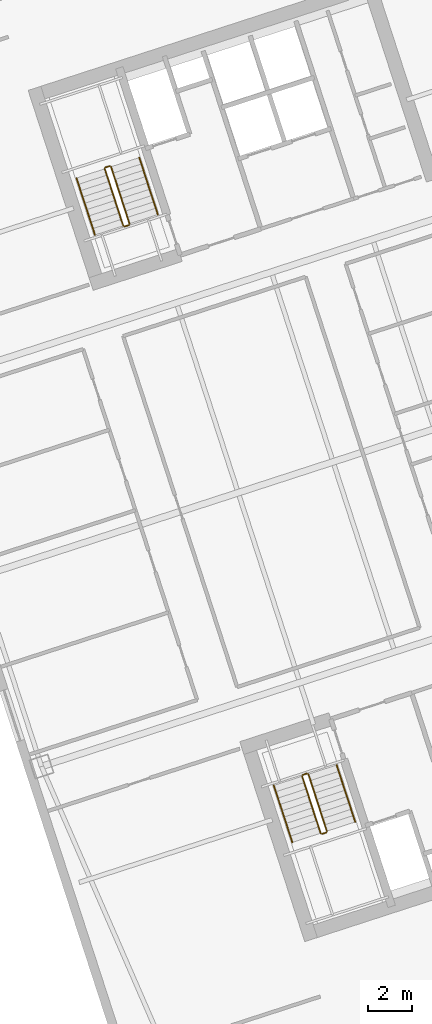
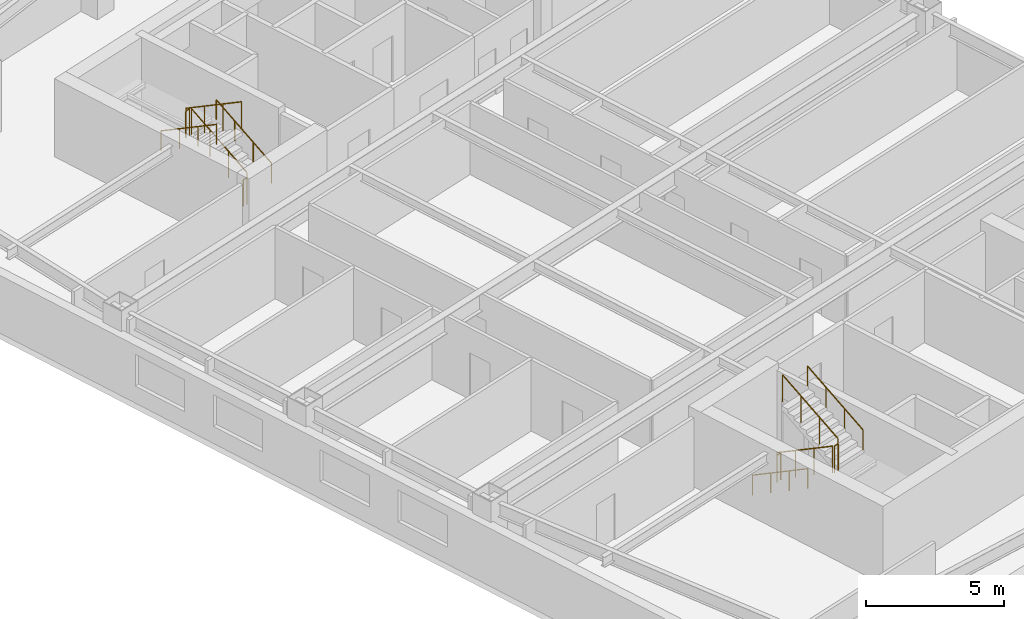
# One storey, part 11 of 11: 12 railings.
"""IFC4 building model written with IfcOpenShell, lengths in metres."""

from ifc_helpers import new_model, si_unit, direction, frame, origin, origin_2d, place, context, subcontext, project, spatial, circle, extrude, material, type_object, element, save


model = new_model("IFC4")

# Units and contexts
model_context = context("Model", 3, precision=1e-05, world=origin(), true_north=direction((0.0, 1.0)))
body_context = subcontext(model_context, "Body", "Model", "MODEL_VIEW")
ifc_project = project(units=[si_unit("LENGTHUNIT", "METRE"), si_unit("AREAUNIT", "SQUARE_METRE"), si_unit("VOLUMEUNIT", "CUBIC_METRE"), si_unit("PLANEANGLEUNIT", "RADIAN"), si_unit("MASSUNIT", "GRAM", prefix="KILO")], contexts=[model_context])

# Site, building, storey
site_placement = place(None, origin())
site = spatial("IfcSite", under=ifc_project, at=site_placement, CompositionType="ELEMENT")
building_placement = place(site_placement, origin())
building = spatial("IfcBuilding", under=site, at=building_placement, Name="Qiaolan Cultural Towers", CompositionType="ELEMENT")
storey_placement = place(building_placement, frame((0.0, 0.0, 96.60009765625)))
storey = spatial("IfcBuildingStorey", under=building, at=storey_placement, Name="L24", CompositionType="ELEMENT", Elevation=96.60009765625)

# Railings
ifc_material_1 = material(Name="Galvanized Painted Steel Stair Guardrail", Category="steel")
railing_type_1 = type_object("IfcRailingType", Name="RL-STAIR-GRD", PredefinedType="GUARDRAIL", material=ifc_material_1)
railing_1_placement = place(storey_placement, frame((88.60205078125, 19.82421875, 0.17236328125)))
element("IfcRailing", 1, at=railing_1_placement, inside=storey, type_object=railing_type_1, Name="L24 ST-E1 stair guard 1", PredefinedType="GUARDRAIL", context=body_context, shape_type="SweptSolid", body=[
    extrude(circle(Radius=0.02392578125, at=origin_2d()), frame((0.0, 0.0, 1.17578125), z_axis=(0.267925668498, -0.824471088726, 0.498460891159), x_axis=(0.951043371037, 0.309057448393, 0.0)), (0.0, 0.0, 1.0), 3.114501953125),
    extrude(circle(Radius=0.02099609375, at=origin_2d()), origin(), (0.0, 0.0, 1.0), 1.15185546875),
    extrude(circle(Radius=0.02099609375, at=origin_2d()), frame((0.278076171875, -0.85595703125, 0.517578125)), (0.0, 0.0, 1.0), 1.15185546875),
    extrude(circle(Radius=0.02099609375, at=origin_2d()), frame((0.556396484375, -1.7119140625, 1.034912109375)), (0.0, 0.0, 1.0), 1.15185546875),
    extrude(circle(Radius=0.02099609375, at=origin_2d()), frame((0.83447265625, -2.56787109375, 1.552490234375)), (0.0, 0.0, 1.0), 1.15185546875),
])
railing_2_placement = place(storey_placement, frame((89.49951171875, 17.224365234375, 1.724853515625)))
element("IfcRailing", 2, at=railing_2_placement, inside=storey, type_object=railing_type_1, Name="L24 ST-E1 stair guard 2", PredefinedType="GUARDRAIL", context=body_context, shape_type="SweptSolid", body=[
    extrude(circle(Radius=0.02392578125, at=origin_2d()), frame((0.0, 0.0, 1.17578125), z_axis=(0.951096855055, 0.308892816854, 0.0), x_axis=(-0.308892816854, 0.951096855055, 0.0)), (0.0, 0.0, 1.0), 0.199951171875),
    extrude(circle(Radius=0.02099609375, at=origin_2d()), origin(), (0.0, 0.0, 1.0), 1.15185546875),
    extrude(circle(Radius=0.02099609375, at=origin_2d()), frame((0.190185546875, 0.061767578125, 0.0)), (0.0, 0.0, 1.0), 1.15185546875),
])
railing_3_placement = place(storey_placement, frame((89.721923828125, 17.34912109375, 1.8974609375)))
element("IfcRailing", 3, at=railing_3_placement, inside=storey, type_object=railing_type_1, Name="L24 ST-E1 stair guard 3", PredefinedType="GUARDRAIL", context=body_context, shape_type="SweptSolid", body=[
    extrude(circle(Radius=0.02392578125, at=origin_2d()), frame((0.0, 0.0, 1.17578125), z_axis=(-0.267925668498, 0.824471088726, 0.498460891159), x_axis=(-0.951043371037, -0.309057448393, 0.0)), (0.0, 0.0, 1.0), 3.114501953125),
    extrude(circle(Radius=0.02099609375, at=origin_2d()), origin(), (0.0, 0.0, 1.0), 1.15185546875),
    extrude(circle(Radius=0.02099609375, at=origin_2d()), frame((-0.278076171875, 0.85595703125, 0.517578125)), (0.0, 0.0, 1.0), 1.15185546875),
    extrude(circle(Radius=0.02099609375, at=origin_2d()), frame((-0.556396484375, 1.7119140625, 1.034912109375)), (0.0, 0.0, 1.0), 1.15185546875),
    extrude(circle(Radius=0.02099609375, at=origin_2d()), frame((-0.83447265625, 2.56787109375, 1.552490234375)), (0.0, 0.0, 1.0), 1.15185546875),
])
railing_4_placement = place(storey_placement, frame((88.63427734375, 19.88720703125, 0.0)))
element("IfcRailing", 4, at=railing_4_placement, inside=storey, type_object=railing_type_1, Name="L24 ST-E1 stair guard 4", PredefinedType="GUARDRAIL", context=body_context, shape_type="SweptSolid", body=[
    extrude(circle(Radius=0.02392578125, at=origin_2d()), frame((0.0, 0.0, 1.17578125), z_axis=(0.951096855055, 0.308892816854, 0.0), x_axis=(-0.308892816854, 0.951096855055, 0.0)), (0.0, 0.0, 1.0), 0.199951171875),
    extrude(circle(Radius=0.02099609375, at=origin_2d()), origin(), (0.0, 0.0, 1.0), 1.15185546875),
    extrude(circle(Radius=0.02099609375, at=origin_2d()), frame((0.190185546875, 0.061767578125, 0.0)), (0.0, 0.0, 1.0), 1.15185546875),
])
railing_5_placement = place(storey_placement, frame((80.822021484375, 44.739501953125, 0.17236328125)))
element("IfcRailing", 5, at=railing_5_placement, inside=storey, type_object=railing_type_1, Name="L24 ST-E2 stair guard 1", PredefinedType="GUARDRAIL", context=body_context, shape_type="SweptSolid", body=[
    extrude(circle(Radius=0.02392578125, at=origin_2d()), frame((0.0, 0.0, 1.17578125), z_axis=(-0.26785290645, 0.824488402118, 0.498471358535), x_axis=(-0.951069945308, -0.308975661068, 0.0)), (0.0, 0.0, 1.0), 3.114501953125),
    extrude(circle(Radius=0.02099609375, at=origin_2d()), origin(), (0.0, 0.0, 1.0), 1.15185546875),
    extrude(circle(Radius=0.02099609375, at=origin_2d()), frame((-0.278076171875, 0.85595703125, 0.517578125)), (0.0, 0.0, 1.0), 1.15185546875),
    extrude(circle(Radius=0.02099609375, at=origin_2d()), frame((-0.55615234375, 1.7119140625, 1.034912109375)), (0.0, 0.0, 1.0), 1.15185546875),
    extrude(circle(Radius=0.02099609375, at=origin_2d()), frame((-0.834228515625, 2.56787109375, 1.552490234375)), (0.0, 0.0, 1.0), 1.15185546875),
])
railing_6_placement = place(storey_placement, frame((79.9248046875, 47.33935546875, 1.724853515625)))
element("IfcRailing", 6, at=railing_6_placement, inside=storey, type_object=railing_type_1, Name="L24 ST-E2 stair guard 2", PredefinedType="GUARDRAIL", context=body_context, shape_type="SweptSolid", body=[
    extrude(circle(Radius=0.02392578125, at=origin_2d()), frame((0.0, 0.0, 1.17578125), z_axis=(-0.951096855055, -0.308892816854, 0.0), x_axis=(0.308892816854, -0.951096855055, 0.0)), (0.0, 0.0, 1.0), 0.199951171875),
    extrude(circle(Radius=0.02099609375, at=origin_2d()), origin(), (0.0, 0.0, 1.0), 1.15185546875),
    extrude(circle(Radius=0.02099609375, at=origin_2d()), frame((-0.190185546875, -0.061767578125, 0.0)), (0.0, 0.0, 1.0), 1.15185546875),
])
railing_7_placement = place(storey_placement, frame((79.702392578125, 47.214599609375, 1.8974609375)))
element("IfcRailing", 7, at=railing_7_placement, inside=storey, type_object=railing_type_1, Name="L24 ST-E2 stair guard 3", PredefinedType="GUARDRAIL", context=body_context, shape_type="SweptSolid", body=[
    extrude(circle(Radius=0.02392578125, at=origin_2d()), frame((0.0, 0.0, 1.17578125), z_axis=(0.267925668498, -0.824471088726, 0.498460891159), x_axis=(0.951043371037, 0.309057448393, 0.0)), (0.0, 0.0, 1.0), 3.114501953125),
    extrude(circle(Radius=0.02099609375, at=origin_2d()), origin(), (0.0, 0.0, 1.0), 1.15185546875),
    extrude(circle(Radius=0.02099609375, at=origin_2d()), frame((0.278076171875, -0.85595703125, 0.517578125)), (0.0, 0.0, 1.0), 1.15185546875),
    extrude(circle(Radius=0.02099609375, at=origin_2d()), frame((0.556396484375, -1.7119140625, 1.034912109375)), (0.0, 0.0, 1.0), 1.15185546875),
    extrude(circle(Radius=0.02099609375, at=origin_2d()), frame((0.83447265625, -2.56787109375, 1.552490234375)), (0.0, 0.0, 1.0), 1.15185546875),
])
railing_8_placement = place(storey_placement, frame((80.7900390625, 44.676513671875, 0.0)))
element("IfcRailing", 8, at=railing_8_placement, inside=storey, type_object=railing_type_1, Name="L24 ST-E2 stair guard 4", PredefinedType="GUARDRAIL", context=body_context, shape_type="SweptSolid", body=[
    extrude(circle(Radius=0.02392578125, at=origin_2d()), frame((0.0, 0.0, 1.17578125), z_axis=(-0.951096855055, -0.308892816854, 0.0), x_axis=(0.308892816854, -0.951096855055, 0.0)), (0.0, 0.0, 1.0), 0.199951171875),
    extrude(circle(Radius=0.02099609375, at=origin_2d()), origin(), (0.0, 0.0, 1.0), 1.15185546875),
    extrude(circle(Radius=0.02099609375, at=origin_2d()), frame((-0.190185546875, -0.061767578125, 0.0)), (0.0, 0.0, 1.0), 1.15185546875),
])
ifc_material_2 = material(Name="Stainless Steel S30408 Tubular Handrail", Category="steel")
railing_type_2 = type_object("IfcRailingType", Name="RL-STAIR-HR", PredefinedType="HANDRAIL", material=ifc_material_2)
railing_9_placement = place(storey_placement, frame((87.32763671875, 19.41015625, 0.17236328125)))
element("IfcRailing", 9, at=railing_9_placement, inside=storey, type_object=railing_type_2, Name="L24 ST-E1 stair handrail 1", PredefinedType="HANDRAIL", context=body_context, shape_type="SweptSolid", body=[
    extrude(circle(Radius=0.02392578125, at=origin_2d()), frame((0.0, 0.0, 0.8759765625), z_axis=(0.267925668498, -0.824471088726, 0.498460891159), x_axis=(0.951043371037, 0.309057448393, 0.0)), (0.0, 0.0, 1.0), 3.114501953125),
    extrude(circle(Radius=0.02099609375, at=origin_2d()), origin(), (0.0, 0.0, 1.0), 0.851806640625),
    extrude(circle(Radius=0.02099609375, at=origin_2d()), frame((0.278076171875, -0.85595703125, 0.517578125)), (0.0, 0.0, 1.0), 0.851806640625),
    extrude(circle(Radius=0.02099609375, at=origin_2d()), frame((0.556396484375, -1.7119140625, 1.034912109375)), (0.0, 0.0, 1.0), 0.851806640625),
    extrude(circle(Radius=0.02099609375, at=origin_2d()), frame((0.83447265625, -2.56787109375, 1.552490234375)), (0.0, 0.0, 1.0), 0.851806640625),
])
railing_10_placement = place(storey_placement, frame((90.996337890625, 17.76318359375, 1.8974609375)))
element("IfcRailing", 10, at=railing_10_placement, inside=storey, type_object=railing_type_2, Name="L24 ST-E1 stair handrail 2", PredefinedType="HANDRAIL", context=body_context, shape_type="SweptSolid", body=[
    extrude(circle(Radius=0.02392578125, at=origin_2d()), frame((0.0, 0.0, 0.8759765625), z_axis=(-0.267925668498, 0.824471088726, 0.498460891159), x_axis=(-0.951043371037, -0.309057448393, 0.0)), (0.0, 0.0, 1.0), 3.114501953125),
    extrude(circle(Radius=0.02099609375, at=origin_2d()), origin(), (0.0, 0.0, 1.0), 0.851806640625),
    extrude(circle(Radius=0.02099609375, at=origin_2d()), frame((-0.278076171875, 0.85595703125, 0.517578125)), (0.0, 0.0, 1.0), 0.851806640625),
    extrude(circle(Radius=0.02099609375, at=origin_2d()), frame((-0.556396484375, 1.7119140625, 1.034912109375)), (0.0, 0.0, 1.0), 0.851806640625),
    extrude(circle(Radius=0.02099609375, at=origin_2d()), frame((-0.83447265625, 2.56787109375, 1.552490234375)), (0.0, 0.0, 1.0), 0.851806640625),
])
railing_11_placement = place(storey_placement, frame((82.096435546875, 45.153564453125, 0.17236328125)))
element("IfcRailing", 11, at=railing_11_placement, inside=storey, type_object=railing_type_2, Name="L24 ST-E2 stair handrail 1", PredefinedType="HANDRAIL", context=body_context, shape_type="SweptSolid", body=[
    extrude(circle(Radius=0.02392578125, at=origin_2d()), frame((0.0, 0.0, 0.8759765625), z_axis=(-0.26785290645, 0.824488402118, 0.498471358535), x_axis=(-0.951069945308, -0.308975661068, 0.0)), (0.0, 0.0, 1.0), 3.114501953125),
    extrude(circle(Radius=0.02099609375, at=origin_2d()), origin(), (0.0, 0.0, 1.0), 0.851806640625),
    extrude(circle(Radius=0.02099609375, at=origin_2d()), frame((-0.278076171875, 0.85595703125, 0.517578125)), (0.0, 0.0, 1.0), 0.851806640625),
    extrude(circle(Radius=0.02099609375, at=origin_2d()), frame((-0.55615234375, 1.7119140625, 1.034912109375)), (0.0, 0.0, 1.0), 0.851806640625),
    extrude(circle(Radius=0.02099609375, at=origin_2d()), frame((-0.834228515625, 2.56787109375, 1.552490234375)), (0.0, 0.0, 1.0), 0.851806640625),
])
railing_12_placement = place(storey_placement, frame((78.427978515625, 46.800537109375, 1.8974609375)))
element("IfcRailing", 12, at=railing_12_placement, inside=storey, type_object=railing_type_2, Name="L24 ST-E2 stair handrail 2", PredefinedType="HANDRAIL", context=body_context, shape_type="SweptSolid", body=[
    extrude(circle(Radius=0.02392578125, at=origin_2d()), frame((0.0, 0.0, 0.8759765625), z_axis=(0.267925668498, -0.824471088726, 0.498460891159), x_axis=(0.951043371037, 0.309057448393, 0.0)), (0.0, 0.0, 1.0), 3.114501953125),
    extrude(circle(Radius=0.02099609375, at=origin_2d()), origin(), (0.0, 0.0, 1.0), 0.851806640625),
    extrude(circle(Radius=0.02099609375, at=origin_2d()), frame((0.278076171875, -0.85595703125, 0.517578125)), (0.0, 0.0, 1.0), 0.851806640625),
    extrude(circle(Radius=0.02099609375, at=origin_2d()), frame((0.556396484375, -1.7119140625, 1.034912109375)), (0.0, 0.0, 1.0), 0.851806640625),
    extrude(circle(Radius=0.02099609375, at=origin_2d()), frame((0.83447265625, -2.56787109375, 1.552490234375)), (0.0, 0.0, 1.0), 0.851806640625),
])

save(model, "model.ifc")
